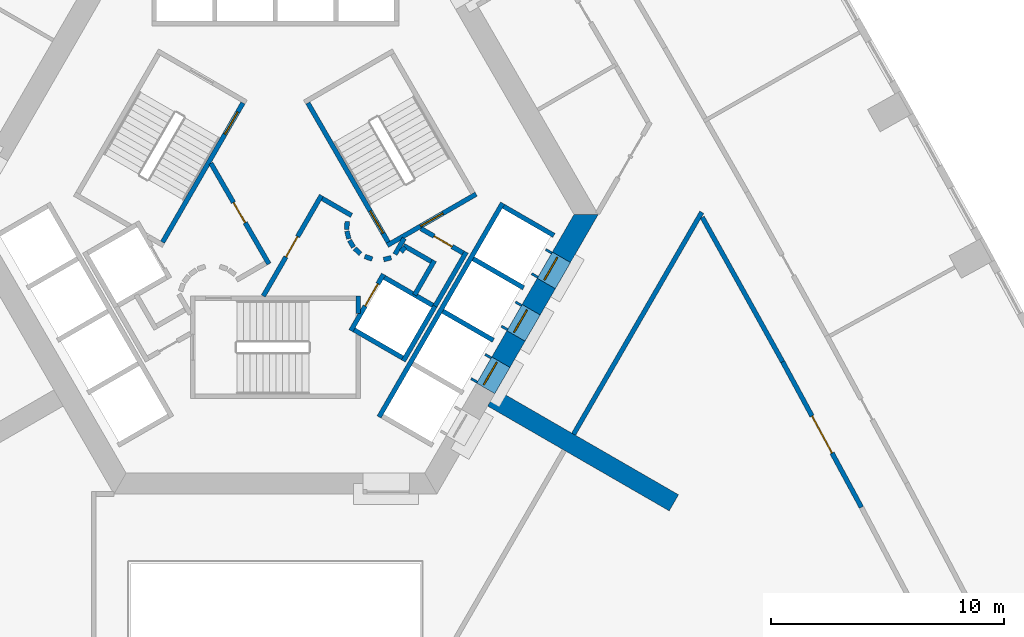
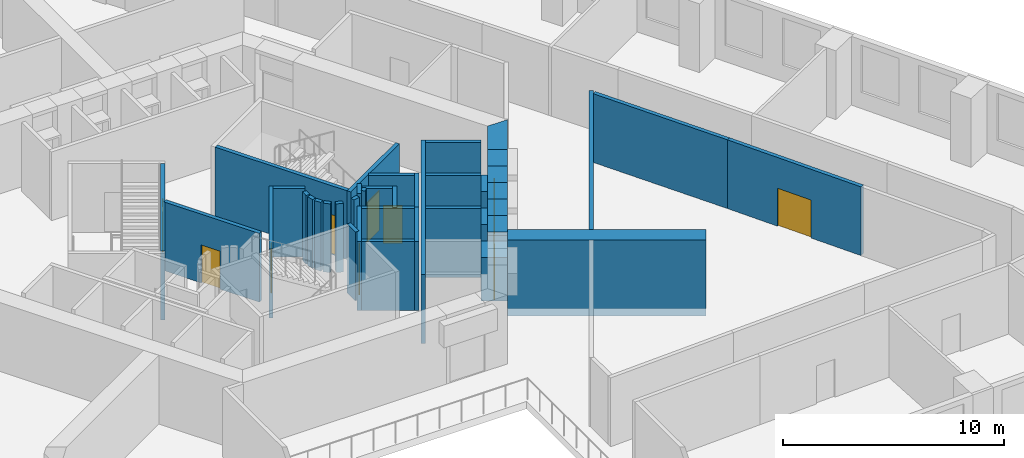
# One storey, part 7 of 15: 40 walls, 11 doors, 11 openings.
"""IFC4 building model written with IfcOpenShell, lengths in metres."""

import ifcopenshell
import ifcopenshell.guid

model = None  # the IFC model being written
_history = None  # IfcOwnerHistory: only IFC2X3 demands one
_inside = {}  # id of a spatial element -> (the spatial element, [elements in it])
_under = {}  # id of a project, library or spatial element -> (it, [spatial elements below it])
_declared = {}  # id of a project -> (the project, [libraries it declares])
_typed = {}  # id of a type object -> (the type object, [elements of that type])
_made_of = {}  # id of a material, layer set ... -> (it, [elements and type objects made of it])


def new_model(schema):
    """Start an empty IFC model of exactly this schema.

    Asked for "IFC4X3", IfcOpenShell would pick the latest addendum, in which some entities
    have other attributes; the version numbers below select the first issue.
    IFC2X3 requires an IfcOwnerHistory on every rooted entity: one is made here for all.
    """
    global model, _history
    if schema == "IFC4X3":
        model = ifcopenshell.file(schema_version=(4, 3, 0, 0))
    else:
        model = ifcopenshell.file(schema=schema)
    _inside.clear()
    _under.clear()
    _declared.clear()
    _typed.clear()
    _made_of.clear()
    _history = None
    if model.schema == "IFC2X3":
        org = make("IfcOrganization", Name="unknown")
        user = make(
            "IfcPersonAndOrganization",
            ThePerson=make("IfcPerson", FamilyName="unknown"),
            TheOrganization=org,
        )
        app = make(
            "IfcApplication",
            ApplicationDeveloper=org,
            Version="unknown",
            ApplicationFullName="unknown",
            ApplicationIdentifier="unknown",
        )
        _history = make(
            "IfcOwnerHistory",
            OwningUser=user,
            OwningApplication=app,
            ChangeAction="ADDED",
            CreationDate=0,
        )
    return model


def make(cls, **values):
    """One entity of the class cls with the attributes given. An attribute that is None is left unset."""
    return model.create_entity(
        cls, **{name: value for name, value in values.items() if value is not None}
    )


def rooted(cls, **values):
    """An entity with a GlobalId (a new one), such as an element, a storey or a relation."""
    return make(cls, GlobalId=ifcopenshell.guid.new(), OwnerHistory=_history, **values)


def si_unit(unit_type, name, prefix=None):
    """IfcSIUnit, for example si_unit("LENGTHUNIT", "METRE", prefix="MILLI")."""
    return make("IfcSIUnit", UnitType=unit_type, Prefix=prefix, Name=name)


def assignment(units):
    """IfcUnitAssignment: the units of a project."""
    return None if units is None else make("IfcUnitAssignment", Units=units)


def point(xyz):
    """IfcCartesianPoint."""
    return None if xyz is None else make("IfcCartesianPoint", Coordinates=xyz)


def direction(xyz):
    """IfcDirection."""
    return None if xyz is None else make("IfcDirection", DirectionRatios=xyz)


def frame(location, z_axis=None, x_axis=None):
    """IfcAxis2Placement3D, a coordinate frame: its origin and axes. An axis left out is left unset."""
    return make(
        "IfcAxis2Placement3D",
        Location=point(location),
        Axis=direction(z_axis),
        RefDirection=direction(x_axis),
    )


def frame_2d(location, x_axis=None):
    """IfcAxis2Placement2D, a coordinate frame in the plane: its origin and x axis."""
    return make(
        "IfcAxis2Placement2D", Location=point(location), RefDirection=direction(x_axis)
    )


def origin():
    """The frame at (0, 0, 0) with its axes left unset."""
    return frame((0.0, 0.0, 0.0))


def place(relative_to, where):
    """IfcLocalPlacement: puts the frame where relative to a parent placement (None: the world)."""
    return make(
        "IfcLocalPlacement", PlacementRelTo=relative_to, RelativePlacement=where
    )


def context(
    kind, dimensions, precision=None, world=None, true_north=None, identifier=None
):
    """IfcGeometricRepresentationContext, for example the 3D "Model" context."""
    return make(
        "IfcGeometricRepresentationContext",
        ContextIdentifier=identifier,
        ContextType=kind,
        CoordinateSpaceDimension=dimensions,
        Precision=precision,
        WorldCoordinateSystem=world,
        TrueNorth=true_north,
    )


def subcontext(parent, identifier, kind, view, scale=None):
    """IfcGeometricRepresentationSubContext, for example "Body" below "Model"."""
    return make(
        "IfcGeometricRepresentationSubContext",
        ContextIdentifier=identifier,
        ContextType=kind,
        ParentContext=parent,
        TargetScale=scale,
        TargetView=view,
    )


def project(units=None, contexts=None):
    """IfcProject with its units and contexts."""
    return rooted(
        "IfcProject",
        Name="project",
        RepresentationContexts=contexts,
        UnitsInContext=assignment(units),
    )


def spatial(cls, under=None, at=None, **own):
    """A site, building, storey or space (cls), placed at a placement, below another one or the project."""
    s = rooted(cls, ObjectPlacement=at, **own)
    if under is not None:
        _under.setdefault(under.id(), (under, []))[1].append(s)
    return s


def polyline(points):
    """IfcPolyline through the points."""
    return make("IfcPolyline", Points=[point(p) for p in points])


def profile(cls, at=None, kind="AREA", **sizes):
    """A parametric profile (cls). Its sizes go by their IFC names, for example OverallWidth=200.0."""
    return make(cls, ProfileType=kind, Position=at, **sizes)


def rectangle(**sizes):
    """IfcRectangleProfileDef."""
    return profile("IfcRectangleProfileDef", **sizes)


def outline(outer, holes=None, kind="AREA"):
    """IfcArbitraryClosedProfileDef: a profile drawn as a closed curve; with holes, ...WithVoids."""
    if holes is None:
        return make("IfcArbitraryClosedProfileDef", ProfileType=kind, OuterCurve=outer)
    return make(
        "IfcArbitraryProfileDefWithVoids",
        ProfileType=kind,
        OuterCurve=outer,
        InnerCurves=holes,
    )


def extrude(swept, where, along, depth):
    """IfcExtrudedAreaSolid: the profile swept, set in the frame where, extruded along a direction by depth."""
    return make(
        "IfcExtrudedAreaSolid",
        SweptArea=swept,
        Position=where,
        ExtrudedDirection=direction(along),
        Depth=depth,
    )


def shape(context_of_items, identifier, shape_type, items):
    """IfcShapeRepresentation: the items that make up one representation, for example the "Body"."""
    return make(
        "IfcShapeRepresentation",
        ContextOfItems=context_of_items,
        RepresentationIdentifier=identifier,
        RepresentationType=shape_type,
        Items=items,
    )


def material(Name=None, Category=None):
    """IfcMaterial."""
    return make("IfcMaterial", Name=Name, Category=Category)


def layer(
    of_material, thickness, ventilated=None, Name=None, Category=None, Priority=None
):
    """IfcMaterialLayer: one layer of a wall or slab, of a material (None: an air gap)."""
    return make(
        "IfcMaterialLayer",
        Material=of_material,
        LayerThickness=thickness,
        IsVentilated=ventilated,
        Name=Name,
        Category=Category,
        Priority=Priority,
    )


def layer_set(layers, Name=None):
    """IfcMaterialLayerSet."""
    return make("IfcMaterialLayerSet", MaterialLayers=layers, LayerSetName=Name)


def made_of(thing, what):
    """Note that an element or type object is made of a material, layer set ...; save() writes the relation."""
    if what is not None:
        _made_of.setdefault(what.id(), (what, []))[1].append(thing)
    return thing


def type_object(cls, material=None, **own):
    """A type object (cls), such as IfcWallType, which elements share."""
    return made_of(rooted(cls, **own), material)


def element(
    cls,
    number,
    at=None,
    inside=None,
    cuts=None,
    type_object=None,
    material=None,
    context=None,
    identifier="Body",
    shape_type=None,
    held_by="IfcProductDefinitionShape",
    body=None,
    shapes=None,
    **own,
):
    """One element of the class cls, such as IfcWall. Its Tag is "e" and its number.

    at: its placement. inside: the storey or other place that contains it. cuts: it is an
    opening in that element (IfcRelVoidsElement). A single representation is given by context,
    identifier, shape_type and body (its items); several are given by shapes. held_by: the class
    of the entity that holds the representations. save() writes the other relations.
    """
    e = rooted(cls, Tag="e%d" % number, ObjectPlacement=at, **own)
    if body is not None:
        shapes = [shape(context, identifier, shape_type, body)]
    if shapes is not None:
        e.Representation = make(held_by, Representations=shapes)
    if inside is not None:
        _inside.setdefault(inside.id(), (inside, []))[1].append(e)
    if cuts is not None:
        rooted(
            "IfcRelVoidsElement", RelatingBuildingElement=cuts, RelatedOpeningElement=e
        )
    if type_object is not None:
        _typed.setdefault(type_object.id(), (type_object, []))[1].append(e)
    return made_of(e, material)


def fill(opening, filler):
    """IfcRelFillsElement: the door or window that sits in an opening."""
    return rooted(
        "IfcRelFillsElement",
        RelatingOpeningElement=opening,
        RelatedBuildingElement=filler,
    )


def aggregate(whole, parts):
    """IfcRelAggregates: a whole, such as a stair, and the parts it consists of."""
    return rooted("IfcRelAggregates", RelatingObject=whole, RelatedObjects=parts)


def save(model, path):
    """Write the relations noted so far, then the file.

    IfcRelAggregates (storeys below a building ...), IfcRelContainedInSpatialStructure (elements
    in a storey), IfcRelDefinesByType, IfcRelAssociatesMaterial and IfcRelDeclares: one each for
    every whole, place, type object, material and project.
    """
    for whole, parts in _under.values():
        aggregate(whole, parts)
    for where, things in _inside.values():
        rooted(
            "IfcRelContainedInSpatialStructure",
            RelatedElements=things,
            RelatingStructure=where,
        )
    for kind, things in _typed.values():
        rooted("IfcRelDefinesByType", RelatedObjects=things, RelatingType=kind)
    for what, things in _made_of.values():
        rooted("IfcRelAssociatesMaterial", RelatedObjects=things, RelatingMaterial=what)
    for by, libraries in _declared.values():
        rooted("IfcRelDeclares", RelatingContext=by, RelatedDefinitions=libraries)
    model.write(path)


model = new_model("IFC4")

# Units and contexts
model_context = context("Model", 3, precision=1e-05, world=origin(), true_north=direction((0.0, 1.0)))
body_context = subcontext(model_context, "Body", "Model", "MODEL_VIEW")
ifc_project = project(units=[si_unit("LENGTHUNIT", "METRE"), si_unit("AREAUNIT", "SQUARE_METRE"), si_unit("VOLUMEUNIT", "CUBIC_METRE"), si_unit("PLANEANGLEUNIT", "RADIAN"), si_unit("MASSUNIT", "GRAM", prefix="KILO")], contexts=[model_context])

# Site, building, storey
site_placement = place(None, origin())
site = spatial("IfcSite", under=ifc_project, at=site_placement, CompositionType="ELEMENT")
building_placement = place(site_placement, origin())
building = spatial("IfcBuilding", under=site, at=building_placement, Name="Entoto Arch Interchange Tower", CompositionType="ELEMENT")
storey_placement = place(building_placement, frame((0.0, 0.0, 120.199951171875)))
storey = spatial("IfcBuildingStorey", under=building, at=storey_placement, Name="L26", CompositionType="ELEMENT", Elevation=120.199951171875)

# Walls
ifc_material_1 = material(Name="Concrete C60/75", Category="concrete")
ifc_layer_1 = layer(ifc_material_1, 0.800048828125)
ifc_layer_set_1 = layer_set([ifc_layer_1], Name="Concrete C60/75")
wall_type_1 = type_object("IfcWallType", Name="Buttress wall 800 C60/75", PredefinedType="SHEAR", material=ifc_layer_set_1)
wall_1_placement = place(storey_placement, frame((9.31005859375, -5.375, -0.39990234375), z_axis=(0.0, 0.0, 1.0), x_axis=(0.866017533419, -0.500013631625, 0.0)))
element("IfcWall", 1, at=wall_1_placement, inside=storey, type_object=wall_type_1, Name="Buttress wall SE L26", PredefinedType="SHEAR", context=body_context, shape_type="SweptSolid", body=[
    extrude(rectangle(XDim=8.999755859375, YDim=0.800048828125, at=frame_2d((4.5, 0.0))), origin(), (0.0, 0.0, 1.0), 4.199951171875),
])
ifc_layer_2 = layer(ifc_material_1, 0.89990234375)
ifc_layer_set_2 = layer_set([ifc_layer_2], Name="Concrete C60/75")
wall_type_2 = type_object("IfcWallType", Name="Core wall 900 C60/75", PredefinedType="SHEAR", material=ifc_layer_set_2)
wall_2_placement = place(storey_placement, frame((0.0, 0.0, -0.39990234375)))
element("IfcWall", 2, at=wall_2_placement, inside=storey, type_object=wall_type_2, Name="Core wall SE L26", PredefinedType="SHEAR", context=body_context, shape_type="SweptSolid", body=[
    extrude(outline(polyline([(10.717041015625, -2.93701171875), (9.93798828125, -2.487060546875), (9.2880859375, -3.613037109375), (10.06689453125, -4.06298828125), (10.717041015625, -2.93701171875)])), origin(), (0.0, 0.0, 1.0), 4.199951171875),
])
wall_3_placement = place(storey_placement, frame((0.0, 0.0, -0.39990234375)))
element("IfcWall", 3, at=wall_3_placement, inside=storey, type_object=wall_type_2, Name="Core wall SE L26", PredefinedType="SHEAR", context=body_context, shape_type="SweptSolid", body=[
    extrude(outline(polyline([(12.01708984375, -0.68603515625), (11.238037109375, -0.236083984375), (10.587890625, -1.361083984375), (11.366943359375, -1.81103515625), (12.01708984375, -0.68603515625)])), origin(), (0.0, 0.0, 1.0), 4.199951171875),
])
wall_4_placement = place(storey_placement, frame((0.0, 0.0, -0.39990234375)))
element("IfcWall", 4, at=wall_4_placement, inside=storey, type_object=wall_type_2, Name="Core wall SE L26", PredefinedType="SHEAR", context=body_context, shape_type="SweptSolid", body=[
    extrude(outline(polyline([(11.887939453125, 0.889892578125), (12.6669921875, 0.43994140625), (13.85595703125, 2.5), (12.81689453125, 2.5), (11.887939453125, 0.889892578125)])), origin(), (0.0, 0.0, 1.0), 4.199951171875),
])
wall_5_placement = place(storey_placement, frame((0.0, 0.0, 3.60009765625)))
element("IfcWall", 5, at=wall_5_placement, inside=storey, type_object=wall_type_2, Name="Core wall lintel SE L26", PredefinedType="SHEAR", context=body_context, shape_type="SweptSolid", body=[
    extrude(outline(polyline([(10.06689453125, -4.06298828125), (9.2880859375, -3.613037109375), (8.637939453125, -4.739013671875), (9.4169921875, -5.18896484375), (10.06689453125, -4.06298828125)])), origin(), (0.0, 0.0, 1.0), 0.199951171875),
])
wall_6_placement = place(storey_placement, frame((0.0, 0.0, 3.60009765625)))
element("IfcWall", 6, at=wall_6_placement, inside=storey, type_object=wall_type_2, Name="Core wall lintel SE L26", PredefinedType="SHEAR", context=body_context, shape_type="SweptSolid", body=[
    extrude(outline(polyline([(11.366943359375, -1.81103515625), (10.587890625, -1.361083984375), (9.93798828125, -2.487060546875), (10.717041015625, -2.93701171875), (11.366943359375, -1.81103515625)])), origin(), (0.0, 0.0, 1.0), 0.199951171875),
])
wall_7_placement = place(storey_placement, frame((0.0, 0.0, 3.60009765625)))
element("IfcWall", 7, at=wall_7_placement, inside=storey, type_object=wall_type_2, Name="Core wall lintel SE L26", PredefinedType="SHEAR", context=body_context, shape_type="SweptSolid", body=[
    extrude(outline(polyline([(12.6669921875, 0.43994140625), (11.887939453125, 0.889892578125), (11.238037109375, -0.236083984375), (12.01708984375, -0.68603515625), (12.6669921875, 0.43994140625)])), origin(), (0.0, 0.0, 1.0), 0.199951171875),
])

# Wall, opening, door
ifc_material_2 = material(Name="Concrete C40/50", Category="concrete")
ifc_layer_3 = layer(ifc_material_2, 1.199951171875)
ifc_layer_set_3 = layer_set([ifc_layer_3], Name="Concrete C40/50")
wall_type_3 = type_object("IfcWallType", Name="LIFT LANDING INFILL WALL", PredefinedType="STANDARD", material=ifc_layer_set_3)
wall_8_placement = place(storey_placement, frame((8.89794921875, -4.888916015625, 0.0), z_axis=(0.0, 0.0, 1.0), x_axis=(0.500036693733, 0.866004217611, 0.0)))
wall_8 = element("IfcWall", 8, at=wall_8_placement, inside=storey, type_object=wall_type_3, Name="Lift landing infill wall LR6 L26", PredefinedType="STANDARD", context=body_context, shape_type="SweptSolid", body=[
    extrude(rectangle(XDim=1.30029296875, YDim=1.199951171875, at=frame_2d((0.650146484375, 0.0))), origin(), (0.0, 0.0, 1.0), 2.400146484375),
])
opening_1_placement = place(wall_8_placement, frame((0.10009765625, 0.0, 0.0)))
opening_1 = element("IfcOpeningElement", 9, at=opening_1_placement, cuts=wall_8, Name="Opening LD-LR6-L26", PredefinedType="OPENING", context=body_context, shape_type="SweptSolid", body=[
    extrude(rectangle(XDim=1.10009765625, YDim=2.300048828125, at=frame_2d((0.550048828125, 1.14990234375))), frame((0.0, 0.60986328125, 0.0), z_axis=(0.0, -1.0, 0.0), x_axis=(1.0, 0.0, 0.0)), (0.0, 0.0, 1.0), 1.219970703125),
])
ifc_material_3 = material(Name="Stainless steel 1.4301 panels", Category="steel")
door_type_1 = type_object("IfcDoorType", Name="LIFT LANDING DOOR LD2 1100x2300", OperationType="SLIDING_TO_LEFT", PredefinedType="DOOR", material=ifc_material_3)
door_1_placement = place(opening_1_placement, origin())
door_1 = element("IfcDoor", 10, at=door_1_placement, inside=storey, type_object=door_type_1, Name="Lift landing door LR6 L26", OperationType="SLIDING_TO_LEFT", OverallHeight=2.300048828125, OverallWidth=1.10009765625, PredefinedType="DOOR", context=body_context, shape_type="SweptSolid", body=[
    extrude(rectangle(XDim=1.10009765625, YDim=2.300048828125, at=frame_2d((0.550048828125, 1.14990234375))), frame((0.0, 0.02490234375, 0.0), z_axis=(0.0, -1.0, 0.0), x_axis=(1.0, 0.0, 0.0)), (0.0, 0.0, 1.0), 0.050048828125),
])
fill(opening_1, door_1)

wall_9_placement = place(storey_placement, frame((10.197998046875, -2.636962890625, 0.0), z_axis=(0.0, 0.0, 1.0), x_axis=(0.49989585183, 0.866085525409, 0.0)))
wall_9 = element("IfcWall", 11, at=wall_9_placement, inside=storey, type_object=wall_type_3, Name="Lift landing infill wall LR7 L26", PredefinedType="STANDARD", context=body_context, shape_type="SweptSolid", body=[
    extrude(rectangle(XDim=1.300048828125, YDim=1.199951171875, at=frame_2d((0.64990234375, 0.0))), origin(), (0.0, 0.0, 1.0), 2.400146484375),
])
opening_2_placement = place(wall_9_placement, frame((0.10009765625, 0.0, 0.0)))
opening_2 = element("IfcOpeningElement", 12, at=opening_2_placement, cuts=wall_9, Name="Opening LD-LR7-L26", PredefinedType="OPENING", context=body_context, shape_type="SweptSolid", body=[
    extrude(rectangle(XDim=1.10009765625, YDim=2.300048828125, at=frame_2d((0.550048828125, 1.14990234375))), frame((0.0, 0.60986328125, 0.0), z_axis=(0.0, -1.0, 0.0), x_axis=(1.0, 0.0, 0.0)), (0.0, 0.0, 1.0), 1.219970703125),
])
door_2_placement = place(opening_2_placement, origin())
door_2 = element("IfcDoor", 13, at=door_2_placement, inside=storey, type_object=door_type_1, Name="Lift landing door LR7 L26", OperationType="SLIDING_TO_LEFT", OverallHeight=2.300048828125, OverallWidth=1.10009765625, PredefinedType="DOOR", context=body_context, shape_type="SweptSolid", body=[
    extrude(rectangle(XDim=1.10009765625, YDim=2.300048828125, at=frame_2d((0.550048828125, 1.14990234375))), frame((0.0, 0.02490234375, 0.0), z_axis=(0.0, -1.0, 0.0), x_axis=(1.0, 0.0, 0.0)), (0.0, 0.0, 1.0), 0.050048828125),
])
fill(opening_2, door_2)

wall_10_placement = place(storey_placement, frame((11.498046875, -0.385009765625, 0.0), z_axis=(0.0, 0.0, 1.0), x_axis=(0.500221244143, 0.865897630733, 0.0)))
wall_10 = element("IfcWall", 14, at=wall_10_placement, inside=storey, type_object=wall_type_3, Name="Lift landing infill wall LR8 L26", PredefinedType="STANDARD", context=body_context, shape_type="SweptSolid", body=[
    extrude(rectangle(XDim=1.29931640625, YDim=1.199951171875, at=frame_2d((0.649658203125, 0.0))), origin(), (0.0, 0.0, 1.0), 2.400146484375),
])
opening_3_placement = place(wall_10_placement, frame((0.10009765625, 0.0, 0.0)))
opening_3 = element("IfcOpeningElement", 15, at=opening_3_placement, cuts=wall_10, Name="Opening LD-LR8-L26", PredefinedType="OPENING", context=body_context, shape_type="SweptSolid", body=[
    extrude(rectangle(XDim=1.10009765625, YDim=2.300048828125, at=frame_2d((0.550048828125, 1.14990234375))), frame((0.0, 0.60986328125, 0.0), z_axis=(0.0, -1.0, 0.0), x_axis=(1.0, 0.0, 0.0)), (0.0, 0.0, 1.0), 1.219970703125),
])
door_3_placement = place(opening_3_placement, origin())
door_3 = element("IfcDoor", 16, at=door_3_placement, inside=storey, type_object=door_type_1, Name="Lift landing door LR8 L26", OperationType="SLIDING_TO_LEFT", OverallHeight=2.300048828125, OverallWidth=1.10009765625, PredefinedType="DOOR", context=body_context, shape_type="SweptSolid", body=[
    extrude(rectangle(XDim=1.10009765625, YDim=2.300048828125, at=frame_2d((0.550048828125, 1.14990234375))), frame((0.0, 0.02490234375, 0.0), z_axis=(0.0, -1.0, 0.0), x_axis=(1.0, 0.0, 0.0)), (0.0, 0.0, 1.0), 0.050048828125),
])
fill(opening_3, door_3)

ifc_layer_4 = layer(ifc_material_2, 0.199951171875)
ifc_layer_set_4 = layer_set([ifc_layer_4], Name="Concrete C40/50")
wall_type_4 = type_object("IfcWallType", Name="LIFT SHAFT WALL 200", PredefinedType="STANDARD", material=ifc_layer_set_4)
wall_11_placement = place(storey_placement, frame((3.239990234375, -2.488037109375, 0.0), z_axis=(0.0, 0.0, 1.0), x_axis=(0.49994636267, 0.866056369097, 0.0)))
wall_11 = element("IfcWall", 17, at=wall_11_placement, inside=storey, type_object=wall_type_4, Name="Shaft wall SE1 front", PredefinedType="STANDARD", context=body_context, shape_type="SweptSolid", body=[
    extrude(rectangle(XDim=2.800048828125, YDim=0.199951171875, at=frame_2d((1.39990234375, 0.0))), origin(), (0.0, 0.0, 1.0), 3.800048828125),
])
opening_4_placement = place(wall_11_placement, frame((1.22509765625, 0.0, 0.0)))
opening_4 = element("IfcOpeningElement", 18, at=opening_4_placement, cuts=wall_11, Name="Opening LD-FF1-L26", PredefinedType="OPENING", context=body_context, shape_type="SweptSolid", body=[
    extrude(rectangle(XDim=1.10009765625, YDim=2.10009765625, at=frame_2d((0.550048828125, 1.050048828125))), frame((0.0, 0.10986328125, 0.0), z_axis=(0.0, -1.0, 0.0), x_axis=(1.0, 0.0, 0.0)), (0.0, 0.0, 1.0), 0.219970703125),
])
door_type_2 = type_object("IfcDoorType", Name="LIFT LANDING DOOR LD1 1100x2100", OperationType="SLIDING_TO_LEFT", PredefinedType="DOOR", material=ifc_material_3)
door_4_placement = place(opening_4_placement, origin())
door_4 = element("IfcDoor", 19, at=door_4_placement, inside=storey, type_object=door_type_2, Name="Lift landing door FF1 L26", OperationType="SLIDING_TO_LEFT", OverallHeight=2.10009765625, OverallWidth=1.10009765625, PredefinedType="DOOR", context=body_context, shape_type="SweptSolid", body=[
    extrude(rectangle(XDim=1.10009765625, YDim=2.10009765625, at=frame_2d((0.550048828125, 1.050048828125))), frame((0.0, 0.02490234375, 0.0), z_axis=(0.0, -1.0, 0.0), x_axis=(1.0, 0.0, 0.0)), (0.0, 0.0, 1.0), 0.050048828125),
])
fill(opening_4, door_4)

# Walls
wall_12_placement = place(storey_placement, frame((5.491943359375, -3.7880859375, 0.0), z_axis=(0.0, 0.0, 1.0), x_axis=(0.500011755427, 0.866018616679, 0.0)))
element("IfcWall", 20, at=wall_12_placement, inside=storey, type_object=wall_type_4, Name="Shaft wall SE1 back", PredefinedType="STANDARD", context=body_context, shape_type="SweptSolid", body=[
    extrude(rectangle(XDim=2.80029296875, YDim=0.199951171875, at=frame_2d((1.400146484375, 0.0))), origin(), (0.0, 0.0, 1.0), 3.800048828125),
])
wall_13_placement = place(storey_placement, frame((3.376953125, -2.451904296875, 0.0), z_axis=(0.0, 0.0, 1.0), x_axis=(0.865955154139, -0.50012165622, 0.0)))
element("IfcWall", 21, at=wall_13_placement, inside=storey, type_object=wall_type_4, Name="Shaft wall SE1 cross 1", PredefinedType="STANDARD", context=body_context, shape_type="SweptSolid", body=[
    extrude(rectangle(XDim=2.39990234375, YDim=0.199951171875, at=frame_2d((1.199951171875, 0.0))), origin(), (0.0, 0.0, 1.0), 3.800048828125),
])
wall_14_placement = place(storey_placement, frame((4.677001953125, -0.199951171875, 0.0), z_axis=(0.0, 0.0, 1.0), x_axis=(0.865973769406, -0.500089422704, 0.0)))
element("IfcWall", 22, at=wall_14_placement, inside=storey, type_object=wall_type_4, Name="Shaft wall SE1 cross 2", PredefinedType="STANDARD", context=body_context, shape_type="SweptSolid", body=[
    extrude(rectangle(XDim=2.3994140625, YDim=0.199951171875, at=frame_2d((1.19970703125, 0.0))), origin(), (0.0, 0.0, 1.0), 3.800048828125),
])
wall_15_placement = place(storey_placement, frame((4.450927734375, -6.18994140625, 0.0), z_axis=(0.0, 0.0, 1.0), x_axis=(0.50000090737, 0.866024879913, 0.0)))
element("IfcWall", 23, at=wall_15_placement, inside=storey, type_object=wall_type_4, Name="Shaft wall SE3 front", PredefinedType="STANDARD", context=body_context, shape_type="SweptSolid", body=[
    extrude(rectangle(XDim=10.60009765625, YDim=0.199951171875, at=frame_2d((5.300048828125, 0.0))), origin(), (0.0, 0.0, 1.0), 3.800048828125),
])
for number, where, z_axis, x_axis, name in (
    (24, (7.18798828125, -1.64990234375, 0.0), (0.0, 0.0, 1.0), (0.866022959057, -0.500004234368, 0.0), "Shaft wall SE3 cross 3"),
    (25, (8.488037109375, 0.60205078125, 0.0), (0.0, 0.0, 1.0), (0.866022959057, -0.500004234368, 0.0), "Shaft wall SE3 cross 4"),
):
    element("IfcWall", number, at=place(storey_placement, frame(where, z_axis=z_axis, x_axis=x_axis)), inside=storey, type_object=wall_type_4, Name=name, PredefinedType="STANDARD", context=body_context, shape_type="SweptSolid", body=[
        extrude(rectangle(XDim=2.5, YDim=0.199951171875, at=frame_2d((1.25, 0.0))), origin(), (0.0, 0.0, 1.0), 3.800048828125),
    ])
wall_16_placement = place(storey_placement, frame((9.7880859375, 2.85302734375, 0.0), z_axis=(0.0, 0.0, 1.0), x_axis=(0.865998541277, -0.500046524342, 0.0)))
element("IfcWall", 26, at=wall_16_placement, inside=storey, type_object=wall_type_4, Name="Shaft wall SE3 cross 5", PredefinedType="STANDARD", context=body_context, shape_type="SweptSolid", body=[
    extrude(rectangle(XDim=2.499755859375, YDim=0.199951171875, at=frame_2d((1.25, 0.0))), origin(), (0.0, 0.0, 1.0), 3.800048828125),
])

# Wall, opening, door
ifc_material_4 = material(Name="Gypsum board partition on steel studs", Category="steel")
ifc_layer_5 = layer(ifc_material_4, 0.199951171875)
ifc_layer_set_5 = layer_set([ifc_layer_5], Name="Gypsum board partition on steel studs")
wall_type_5 = type_object("IfcWallType", Name="PARTITION 200", PredefinedType="PARTITIONING", material=ifc_layer_set_5)
wall_17_placement = place(storey_placement, frame((25.153076171875, -10.06494140625, 0.0), z_axis=(0.0, 0.0, 1.0), x_axis=(-0.476124717613, 0.87937776483, 0.0)))
wall_17 = element("IfcWall", 27, at=wall_17_placement, inside=storey, type_object=wall_type_5, Name="wall:L26:p024", PredefinedType="PARTITIONING", context=body_context, shape_type="SweptSolid", body=[
    extrude(rectangle(XDim=7.099365234375, YDim=0.199951171875, at=frame_2d((3.5498046875, 0.0))), origin(), (0.0, 0.0, 1.0), 3.800048828125),
])
opening_5_placement = place(wall_17_placement, frame((2.64990234375, 0.0, 0.0)))
opening_5 = element("IfcOpeningElement", 28, at=opening_5_placement, cuts=wall_17, Name="Opening L26-D20", PredefinedType="OPENING", context=body_context, shape_type="SweptSolid", body=[
    extrude(rectangle(XDim=1.800048828125, YDim=2.10009765625, at=frame_2d((0.89990234375, 1.050048828125))), frame((0.0, 0.10986328125, 0.0), z_axis=(0.0, -1.0, 0.0), x_axis=(1.0, 0.0, 0.0)), (0.0, 0.0, 1.0), 0.219970703125),
])
ifc_material_5 = material(Name="Timber door leaf in Steel S235 frame", Category="steel")
door_type_3 = type_object("IfcDoorType", Name="DOOR DD-18 1800x2100", OperationType="DOUBLE_DOOR_SINGLE_SWING", PredefinedType="DOOR", material=ifc_material_5)
door_5_placement = place(opening_5_placement, origin())
door_5 = element("IfcDoor", 29, at=door_5_placement, inside=storey, type_object=door_type_3, Name="door:L26:20", OperationType="DOUBLE_DOOR_SINGLE_SWING", OverallHeight=2.10009765625, OverallWidth=1.800048828125, PredefinedType="DOOR", context=body_context, shape_type="SweptSolid", body=[
    extrude(rectangle(XDim=1.800048828125, YDim=2.10009765625, at=frame_2d((0.89990234375, 1.050048828125))), frame((0.0, 0.02490234375, 0.0), z_axis=(0.0, -1.0, 0.0), x_axis=(1.0, 0.0, 0.0)), (0.0, 0.0, 1.0), 0.050048828125),
])
fill(opening_5, door_5)

# Walls
wall_18_placement = place(storey_placement, frame((21.77294921875, -3.822021484375, 0.0), z_axis=(0.0, 0.0, 1.0), x_axis=(-0.485826874234, 0.874055060206, 0.0)))
element("IfcWall", 30, at=wall_18_placement, inside=storey, type_object=wall_type_5, Name="wall:L26:p025", PredefinedType="PARTITIONING", context=body_context, shape_type="SweptSolid", body=[
    extrude(rectangle(XDim=7.09912109375, YDim=0.199951171875, at=frame_2d((3.549560546875, 0.0))), origin(), (0.0, 0.0, 1.0), 3.800048828125),
])
wall_19_placement = place(storey_placement, frame((5.389892578125, 0.89794921875, 0.0), z_axis=(0.0, 0.0, 1.0), x_axis=(0.673828488714, 0.738887791073, 0.0)))
element("IfcWall", 31, at=wall_19_placement, inside=storey, type_object=wall_type_5, Name="wall:L26:p078", PredefinedType="PARTITIONING", context=body_context, shape_type="SweptSolid", body=[
    extrude(rectangle(XDim=0.2626953125, YDim=0.199951171875, at=frame_2d((0.13134765625, 0.0))), origin(), (0.0, 0.0, 1.0), 3.800048828125),
])
wall_20_placement = place(storey_placement, frame((5.4990234375, 1.172119140625, 0.0), z_axis=(0.0, 0.0, 1.0), x_axis=(0.866333505267, -0.499465972466, 0.0)))
element("IfcWall", 32, at=wall_20_placement, inside=storey, type_object=wall_type_5, Name="wall:L26:p079", PredefinedType="PARTITIONING", context=body_context, shape_type="SweptSolid", body=[
    extrude(rectangle(XDim=1.37353515625, YDim=0.199951171875, at=frame_2d((0.686767578125, 0.0))), origin(), (0.0, 0.0, 1.0), 3.800048828125),
])
wall_21_placement = place(storey_placement, frame((6.825927734375, 0.52197265625, 0.0), z_axis=(0.0, 0.0, 1.0), x_axis=(-0.500016722714, -0.866015748706, 0.0)))
element("IfcWall", 33, at=wall_21_placement, inside=storey, type_object=wall_type_5, Name="wall:L26:p080", PredefinedType="PARTITIONING", context=body_context, shape_type="SweptSolid", body=[
    extrude(rectangle(XDim=1.69970703125, YDim=0.199951171875, at=frame_2d((0.849853515625, 0.0))), origin(), (0.0, 0.0, 1.0), 3.800048828125),
])

# Wall, opening, door
wall_22_placement = place(storey_placement, frame((6.25, 1.89404296875, 0.0), z_axis=(0.0, 0.0, 1.0), x_axis=(0.866043184279, -0.499969202016, 0.0)))
wall_22 = element("IfcWall", 34, at=wall_22_placement, inside=storey, type_object=wall_type_5, Name="wall:L26:p081", PredefinedType="PARTITIONING", context=body_context, shape_type="SweptSolid", body=[
    extrude(rectangle(XDim=2.084228515625, YDim=0.199951171875, at=frame_2d((1.0419921875, 0.0))), origin(), (0.0, 0.0, 1.0), 3.800048828125),
])
opening_6_placement = place(wall_22_placement, frame((0.64208984375, 0.0, 0.0)))
opening_6 = element("IfcOpeningElement", 35, at=opening_6_placement, cuts=wall_22, Name="Opening L26-D30", PredefinedType="OPENING", context=body_context, shape_type="SweptSolid", body=[
    extrude(rectangle(XDim=0.89990234375, YDim=2.10009765625, at=frame_2d((0.449951171875, 1.050048828125))), frame((0.0, 0.10986328125, 0.0), z_axis=(0.0, -1.0, 0.0), x_axis=(1.0, 0.0, 0.0)), (0.0, 0.0, 1.0), 0.219970703125),
])
door_type_4 = type_object("IfcDoorType", Name="DOOR DS-09 900x2100", OperationType="SINGLE_SWING_LEFT", PredefinedType="DOOR", material=ifc_material_5)
door_6_placement = place(opening_6_placement, origin())
door_6 = element("IfcDoor", 36, at=door_6_placement, inside=storey, type_object=door_type_4, Name="door:L26:30", OperationType="SINGLE_SWING_LEFT", OverallHeight=2.10009765625, OverallWidth=0.89990234375, PredefinedType="DOOR", context=body_context, shape_type="SweptSolid", body=[
    extrude(rectangle(XDim=0.89990234375, YDim=2.10009765625, at=frame_2d((0.449951171875, 1.050048828125))), frame((0.0, 0.02490234375, 0.0), z_axis=(0.0, -1.0, 0.0), x_axis=(1.0, 0.0, 0.0)), (0.0, 0.0, 1.0), 0.050048828125),
])
fill(opening_6, door_6)

# Walls
wall_23_placement = place(storey_placement, frame((8.19189453125, 0.887939453125, 0.0), z_axis=(0.0, 0.0, 1.0), x_axis=(-0.499940625693, -0.866059680843, 0.0)))
element("IfcWall", 37, at=wall_23_placement, inside=storey, type_object=wall_type_5, Name="wall:L26:p082", PredefinedType="PARTITIONING", context=body_context, shape_type="SweptSolid", body=[
    extrude(rectangle(XDim=2.679931640625, YDim=0.199951171875, at=frame_2d((1.33984375, 0.0))), origin(), (0.0, 0.0, 1.0), 3.800048828125),
])
wall_24_placement = place(storey_placement, frame((5.135009765625, 0.79296875, 0.0), z_axis=(0.0, 0.0, 1.0), x_axis=(0.499526442893, 0.866298639529, 0.0)))
element("IfcWall", 38, at=wall_24_placement, inside=storey, type_object=wall_type_5, Name="wall:L26:p083", PredefinedType="PARTITIONING", context=body_context, shape_type="SweptSolid", body=[
    extrude(rectangle(XDim=0.790771484375, YDim=0.199951171875, at=frame_2d((0.3955078125, 0.0))), origin(), (0.0, 0.0, 1.0), 3.800048828125),
])

# Wall, opening, door
wall_25_placement = place(storey_placement, frame((-0.52001953125, -1.0, 0.0), z_axis=(0.0, 0.0, 1.0), x_axis=(0.50011622646, 0.865958290007, 0.0)))
wall_25 = element("IfcWall", 39, at=wall_25_placement, inside=storey, type_object=wall_type_5, Name="wall:L26:p093", PredefinedType="PARTITIONING", context=body_context, shape_type="SweptSolid", body=[
    extrude(rectangle(XDim=4.990966796875, YDim=0.199951171875, at=frame_2d((2.49560546875, 0.0))), origin(), (0.0, 0.0, 1.0), 3.800048828125),
])
opening_7_placement = place(wall_25_placement, frame((1.945068359375, 0.0, 0.0)))
opening_7 = element("IfcOpeningElement", 40, at=opening_7_placement, cuts=wall_25, Name="Opening L26-D28", PredefinedType="OPENING", context=body_context, shape_type="SweptSolid", body=[
    extrude(rectangle(XDim=1.0, YDim=2.10009765625, at=frame_2d((0.5, 1.050048828125))), frame((0.0, 0.10986328125, 0.0), z_axis=(0.0, -1.0, 0.0), x_axis=(1.0, 0.0, 0.0)), (0.0, 0.0, 1.0), 0.219970703125),
])
ifc_material_6 = material(Name="Fire-rated Steel S235 door and frame", Category="steel")
door_type_5 = type_object("IfcDoorType", Name="DOOR FD-10 1000x2100", OperationType="SINGLE_SWING_LEFT", PredefinedType="DOOR", material=ifc_material_6)
door_7_placement = place(opening_7_placement, origin())
door_7 = element("IfcDoor", 41, at=door_7_placement, inside=storey, type_object=door_type_5, Name="door:L26:28", OperationType="SINGLE_SWING_LEFT", OverallHeight=2.10009765625, OverallWidth=1.0, PredefinedType="DOOR", context=body_context, shape_type="SweptSolid", body=[
    extrude(rectangle(XDim=1.0, YDim=2.10009765625, at=frame_2d((0.5, 1.050048828125))), frame((0.0, 0.02490234375, 0.0), z_axis=(0.0, -1.0, 0.0), x_axis=(1.0, 0.0, 0.0)), (0.0, 0.0, 1.0), 0.050048828125),
])
fill(opening_7, door_7)

# Walls
wall_26_placement = place(storey_placement, frame((2.011962890625, 3.18603515625, 0.0), z_axis=(0.0, 0.0, 1.0), x_axis=(0.865891012941, -0.500232699559, 0.0)))
element("IfcWall", 42, at=wall_26_placement, inside=storey, type_object=wall_type_5, Name="wall:L26:p094", PredefinedType="PARTITIONING", context=body_context, shape_type="SweptSolid", body=[
    extrude(rectangle(XDim=1.449462890625, YDim=0.199951171875, at=frame_2d((0.724609375, 0.0))), origin(), (0.0, 0.0, 1.0), 3.800048828125),
])
wall_27_placement = place(storey_placement, frame((3.0791015625, 2.198974609375, 0.0), z_axis=(0.0, 0.0, 1.0), x_axis=(-0.047771483479, -0.998858290933, 0.0)))
element("IfcWall", 43, at=wall_27_placement, inside=storey, type_object=wall_type_5, Name="wall:L26:p095", PredefinedType="PARTITIONING", context=body_context, shape_type="SweptSolid", body=[
    extrude(rectangle(XDim=0.33740234375, YDim=0.199951171875, at=frame_2d((0.168701171875, 0.0))), origin(), (0.0, 0.0, 1.0), 3.800048828125),
])
wall_28_placement = place(storey_placement, frame((3.070068359375, 1.785888671875, 0.0), z_axis=(0.0, 0.0, 1.0), x_axis=(0.242705583207, -0.970099994784, 0.0)))
element("IfcWall", 44, at=wall_28_placement, inside=storey, type_object=wall_type_5, Name="wall:L26:p096", PredefinedType="PARTITIONING", context=body_context, shape_type="SweptSolid", body=[
    extrude(rectangle(XDim=0.337890625, YDim=0.199951171875, at=frame_2d((0.1689453125, 0.0))), origin(), (0.0, 0.0, 1.0), 3.800048828125),
])
for number, where, z_axis, x_axis, name in (
    (45, (3.181884765625, 1.387939453125, 0.0), (0.0, 0.0, 1.0), (0.512474702713, -0.85870232274, 0.0), "wall:L26:p097"),
    (46, (3.404052734375, 1.0390625, 0.0), (0.0, 0.0, 1.0), (0.740267097712, -0.672312891476, 0.0), "wall:L26:p098"),
):
    element("IfcWall", number, at=place(storey_placement, frame(where, z_axis=z_axis, x_axis=x_axis)), inside=storey, type_object=wall_type_5, Name=name, PredefinedType="PARTITIONING", context=body_context, shape_type="SweptSolid", body=[
        extrude(rectangle(XDim=0.337646484375, YDim=0.199951171875, at=frame_2d((0.1689453125, 0.0))), origin(), (0.0, 0.0, 1.0), 3.800048828125),
    ])
wall_29_placement = place(storey_placement, frame((3.837890625, 0.701904296875, 0.0), z_axis=(0.0, 0.0, 1.0), x_axis=(0.941035081519, -0.338308993895, 0.0)))
element("IfcWall", 47, at=wall_29_placement, inside=storey, type_object=wall_type_5, Name="wall:L26:p099", PredefinedType="PARTITIONING", context=body_context, shape_type="SweptSolid", body=[
    extrude(rectangle(XDim=0.3369140625, YDim=0.199951171875, at=frame_2d((0.16845703125, 0.0))), origin(), (0.0, 0.0, 1.0), 3.800048828125),
])
wall_30_placement = place(storey_placement, frame((4.64404296875, 0.56396484375, 0.0), z_axis=(0.0, 0.0, 1.0), x_axis=(0.969929076366, 0.243387729394, 0.0)))
element("IfcWall", 48, at=wall_30_placement, inside=storey, type_object=wall_type_5, Name="wall:L26:p100", PredefinedType="PARTITIONING", context=body_context, shape_type="SweptSolid", body=[
    extrude(rectangle(XDim=0.337158203125, YDim=0.199951171875, at=frame_2d((0.16845703125, 0.0))), origin(), (0.0, 0.0, 1.0), 3.800048828125),
])

# Wall, opening, door
wall_31_placement = place(storey_placement, frame((-2.77099609375, 4.699951171875, 0.0), z_axis=(0.0, 0.0, 1.0), x_axis=(0.499969479948, -0.866043023828, 0.0)))
wall_31 = element("IfcWall", 49, at=wall_31_placement, inside=storey, type_object=wall_type_5, Name="wall:L26:p101", PredefinedType="PARTITIONING", context=body_context, shape_type="SweptSolid", body=[
    extrude(rectangle(XDim=4.990478515625, YDim=0.199951171875, at=frame_2d((2.4951171875, 0.0))), origin(), (0.0, 0.0, 1.0), 3.800048828125),
])
opening_8_placement = place(wall_31_placement, frame((1.945068359375, 0.0, 0.0)))
opening_8 = element("IfcOpeningElement", 50, at=opening_8_placement, cuts=wall_31, Name="Opening L26-D29", PredefinedType="OPENING", context=body_context, shape_type="SweptSolid", body=[
    extrude(rectangle(XDim=1.0, YDim=2.10009765625, at=frame_2d((0.5, 1.050048828125))), frame((0.0, 0.10986328125, 0.0), z_axis=(0.0, -1.0, 0.0), x_axis=(1.0, 0.0, 0.0)), (0.0, 0.0, 1.0), 0.219970703125),
])
door_8_placement = place(opening_8_placement, origin())
door_8 = element("IfcDoor", 51, at=door_8_placement, inside=storey, type_object=door_type_5, Name="door:L26:29", OperationType="SINGLE_SWING_RIGHT", OverallHeight=2.10009765625, OverallWidth=1.0, PredefinedType="DOOR", context=body_context, shape_type="SweptSolid", body=[
    extrude(rectangle(XDim=1.0, YDim=2.10009765625, at=frame_2d((0.5, 1.050048828125))), frame((0.0, 0.02490234375, 0.0), z_axis=(0.0, -1.0, 0.0), x_axis=(1.0, 0.0, 0.0)), (0.0, 0.0, 1.0), 0.050048828125),
])
fill(opening_8, door_8)

# Walls
wall_32_placement = place(storey_placement, frame((18.301025390625, 2.597900390625, 0.0), z_axis=(0.0, 0.0, 1.0), x_axis=(-0.49997732567, -0.866038494419, 0.0)))
element("IfcWall", 52, at=wall_32_placement, inside=storey, type_object=wall_type_5, Name="wall:L26:p116", PredefinedType="PARTITIONING", context=body_context, shape_type="SweptSolid", body=[
    extrude(rectangle(XDim=11.00048828125, YDim=0.199951171875, at=frame_2d((5.500244140625, 0.0))), origin(), (0.0, 0.0, 1.0), 3.800048828125),
])
ifc_layer_6 = layer(ifc_material_2, 0.199951171875)
ifc_layer_set_6 = layer_set([ifc_layer_6], Name="Concrete C40/50")
wall_type_6 = type_object("IfcWallType", Name="STAIR ENCLOSURE WALL 200", PredefinedType="STANDARD", material=ifc_layer_set_6)
wall_33_placement = place(storey_placement, frame((3.550048828125, -1.0, 0.0), z_axis=(0.0, 0.0, 1.0), x_axis=(0.0, -1.0, 0.0)))
element("IfcWall", 53, at=wall_33_placement, inside=storey, type_object=wall_type_6, Name="Stair wall ST-S far return", PredefinedType="STANDARD", context=body_context, shape_type="SweptSolid", body=[
    extrude(rectangle(XDim=0.7509765625, YDim=0.199951171875, at=frame_2d((0.37548828125, 0.0))), origin(), (0.0, 0.0, 1.0), 3.800048828125),
])

# Wall, opening, door
wall_34_placement = place(storey_placement, frame((4.805908203125, 1.176025390625, 0.0), z_axis=(0.0, 0.0, 1.0), x_axis=(0.866059941101, 0.499940174841, 0.0)))
wall_34 = element("IfcWall", 54, at=wall_34_placement, inside=storey, type_object=wall_type_6, Name="Stair wall ST-NE near", PredefinedType="STANDARD", context=body_context, shape_type="SweptSolid", body=[
    extrude(rectangle(XDim=4.400390625, YDim=0.199951171875, at=frame_2d((2.2001953125, 0.0))), origin(), (0.0, 0.0, 1.0), 3.800048828125),
])
opening_9_placement = place(wall_34_placement, frame((1.64990234375, 0.0, 0.0)))
opening_9 = element("IfcOpeningElement", 55, at=opening_9_placement, cuts=wall_34, Name="Opening SD-ST-NE-L26-E", PredefinedType="OPENING", context=body_context, shape_type="SweptSolid", body=[
    extrude(rectangle(XDim=1.10009765625, YDim=2.199951171875, at=frame_2d((0.550048828125, 1.10009765625))), frame((0.0, 0.10986328125, 0.0), z_axis=(0.0, -1.0, 0.0), x_axis=(1.0, 0.0, 0.0)), (0.0, 0.0, 1.0), 0.219970703125),
])
ifc_material_7 = material(Name="Steel S235", Category="steel")
door_type_6 = type_object("IfcDoorType", Name="STAIR DOOR SD1 1100x2200", OperationType="SINGLE_SWING_LEFT", PredefinedType="DOOR", material=ifc_material_7)
door_9_placement = place(opening_9_placement, origin())
door_9 = element("IfcDoor", 56, at=door_9_placement, inside=storey, type_object=door_type_6, Name="Stair door ST-NE L26 end", OperationType="SINGLE_SWING_LEFT", OverallHeight=2.199951171875, OverallWidth=1.10009765625, PredefinedType="DOOR", context=body_context, shape_type="SweptSolid", body=[
    extrude(rectangle(XDim=1.10009765625, YDim=2.199951171875, at=frame_2d((0.550048828125, 1.10009765625))), frame((0.0, 0.02490234375, 0.0), z_axis=(0.0, -1.0, 0.0), x_axis=(1.0, 0.0, 0.0)), (0.0, 0.0, 1.0), 0.050048828125),
])
fill(opening_9, door_9)

wall_35_placement = place(storey_placement, frame((4.843017578125, 1.31201171875, 0.0), z_axis=(0.0, 0.0, 1.0), x_axis=(-0.499963383562, 0.866046543262, 0.0)))
wall_35 = element("IfcWall", 57, at=wall_35_placement, inside=storey, type_object=wall_type_6, Name="Stair wall ST-NE hall", PredefinedType="STANDARD", context=body_context, shape_type="SweptSolid", body=[
    extrude(rectangle(XDim=6.900390625, YDim=0.199951171875, at=frame_2d((3.4501953125, 0.0))), origin(), (0.0, 0.0, 1.0), 3.800048828125),
])
opening_10_placement = place(wall_35_placement, frame((0.449951171875, 0.0, 0.0)))
opening_10 = element("IfcOpeningElement", 58, at=opening_10_placement, cuts=wall_35, Name="Opening SD-ST-NE-L26", PredefinedType="OPENING", context=body_context, shape_type="SweptSolid", body=[
    extrude(rectangle(XDim=1.10009765625, YDim=2.199951171875, at=frame_2d((0.550048828125, 1.10009765625))), frame((0.0, 0.10986328125, 0.0), z_axis=(0.0, -1.0, 0.0), x_axis=(1.0, 0.0, 0.0)), (0.0, 0.0, 1.0), 0.219970703125),
])
door_10_placement = place(opening_10_placement, origin())
door_10 = element("IfcDoor", 59, at=door_10_placement, inside=storey, type_object=door_type_6, Name="Stair door ST-NE L26", OperationType="SINGLE_SWING_LEFT", OverallHeight=2.199951171875, OverallWidth=1.10009765625, PredefinedType="DOOR", context=body_context, shape_type="SweptSolid", body=[
    extrude(rectangle(XDim=1.10009765625, YDim=2.199951171875, at=frame_2d((0.550048828125, 1.10009765625))), frame((0.0, 0.02490234375, 0.0), z_axis=(0.0, -1.0, 0.0), x_axis=(1.0, 0.0, 0.0)), (0.0, 0.0, 1.0), 0.050048828125),
])
fill(opening_10, door_10)

wall_36_placement = place(storey_placement, frame((-1.39306640625, 7.2880859375, 0.0), z_axis=(0.0, 0.0, 1.0), x_axis=(-0.499963383562, -0.866046543262, 0.0)))
wall_36 = element("IfcWall", 60, at=wall_36_placement, inside=storey, type_object=wall_type_6, Name="Stair wall ST-NW hall", PredefinedType="STANDARD", context=body_context, shape_type="SweptSolid", body=[
    extrude(rectangle(XDim=6.900390625, YDim=0.199951171875, at=frame_2d((3.4501953125, 0.0))), origin(), (0.0, 0.0, 1.0), 3.800048828125),
])
opening_11_placement = place(wall_36_placement, frame((0.449951171875, 0.0, 0.0)))
opening_11 = element("IfcOpeningElement", 61, at=opening_11_placement, cuts=wall_36, Name="Opening SD-ST-NW-L26", PredefinedType="OPENING", context=body_context, shape_type="SweptSolid", body=[
    extrude(rectangle(XDim=1.10009765625, YDim=2.199951171875, at=frame_2d((0.550048828125, 1.10009765625))), frame((0.0, 0.10986328125, 0.0), z_axis=(0.0, -1.0, 0.0), x_axis=(1.0, 0.0, 0.0)), (0.0, 0.0, 1.0), 0.219970703125),
])
door_11_placement = place(opening_11_placement, origin())
door_11 = element("IfcDoor", 62, at=door_11_placement, inside=storey, type_object=door_type_6, Name="Stair door ST-NW L26", OperationType="SINGLE_SWING_LEFT", OverallHeight=2.199951171875, OverallWidth=1.10009765625, PredefinedType="DOOR", context=body_context, shape_type="SweptSolid", body=[
    extrude(rectangle(XDim=1.10009765625, YDim=2.199951171875, at=frame_2d((0.550048828125, 1.10009765625))), frame((0.0, 0.02490234375, 0.0), z_axis=(0.0, -1.0, 0.0), x_axis=(1.0, 0.0, 0.0)), (0.0, 0.0, 1.0), 0.050048828125),
])
fill(opening_11, door_11)

save(model, "model.ifc")
